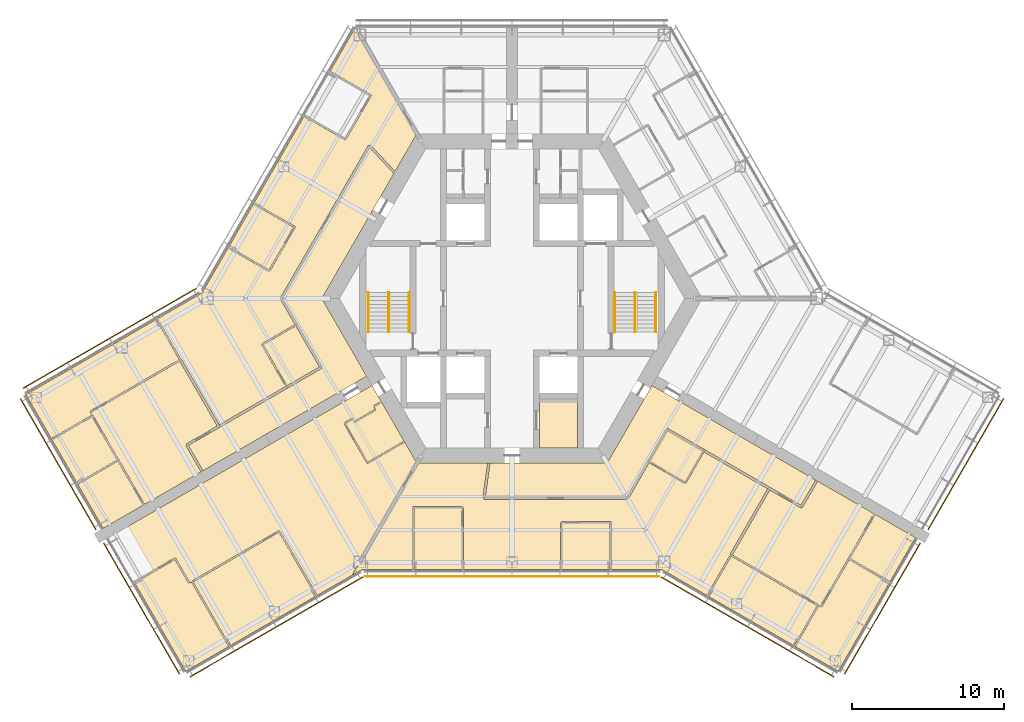
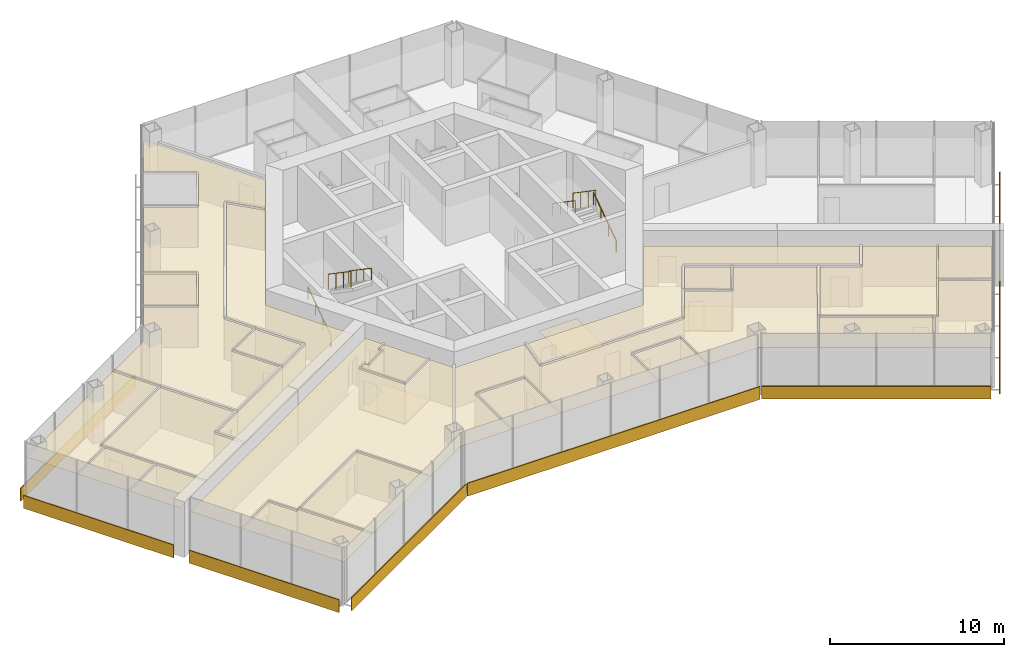
# One storey, part 18 of 19: 24 coverings, 8 shading devices, 6 railings.
"""IFC4 building model written with IfcOpenShell, lengths in metres."""

from ifc_helpers import new_model, si_unit, direction, frame, origin, origin_2d, place, context, subcontext, project, spatial, polyline, rectangle, circle, outline, extrude, material, layer, layer_set, type_object, element, save


model = new_model("IFC4")

# Units and contexts
model_context = context("Model", 3, precision=1e-05, world=origin(), true_north=direction((0.0, 1.0)))
body_context = subcontext(model_context, "Body", "Model", "MODEL_VIEW")
ifc_project = project(units=[si_unit("LENGTHUNIT", "METRE"), si_unit("AREAUNIT", "SQUARE_METRE"), si_unit("VOLUMEUNIT", "CUBIC_METRE"), si_unit("PLANEANGLEUNIT", "RADIAN"), si_unit("MASSUNIT", "GRAM", prefix="KILO")], contexts=[model_context])

# Site, building, storey
site_placement = place(None, origin())
site = spatial("IfcSite", under=ifc_project, at=site_placement, CompositionType="ELEMENT")
building_placement = place(site_placement, origin())
building = spatial("IfcBuilding", under=site, at=building_placement, Name="Kasaneha Research Tower", CompositionType="ELEMENT")
storey_placement = place(building_placement, frame((0.0, 0.0, 156.5)))
storey = spatial("IfcBuildingStorey", under=building, at=storey_placement, Name="L39", CompositionType="ELEMENT", Elevation=156.5)

# Railings
ifc_material_1 = material(Name="Steel", Category="steel")
railing_type_1 = type_object("IfcRailingType", Name="Stair balustrade 1100", PredefinedType="GUARDRAIL", material=ifc_material_1)
for number, where, name in (
    (1, (8.10009765625, 0.39990234375, 2.127197265625), "Stair 1 balustrade L39"),
    (2, (-8.10009765625, 0.39990234375, 2.127197265625), "Stair 2 balustrade L39"),
):
    element("IfcRailing", number, at=place(storey_placement, frame(where)), inside=storey, type_object=railing_type_1, Name=name, PredefinedType="GUARDRAIL", context=body_context, shape_type="SweptSolid", body=[
        extrude(circle(Radius=0.02392578125, at=origin_2d()), frame((0.0, 0.0, 1.076171875), z_axis=(0.0, -0.826215852431, 0.563353676824), x_axis=(1.0, 0.0, 0.0)), (0.0, 0.0, 1.0), 3.146728515625),
        extrude(circle(Radius=0.02099609375, at=origin_2d()), origin(), (0.0, 0.0, 1.0), 1.052001953125),
        extrude(circle(Radius=0.02099609375, at=origin_2d()), frame((0.0, -0.86669921875, 0.5908203125)), (0.0, 0.0, 1.0), 1.052001953125),
        extrude(circle(Radius=0.02099609375, at=origin_2d()), frame((0.0, -1.733154296875, 1.181884765625)), (0.0, 0.0, 1.0), 1.052001953125),
        extrude(circle(Radius=0.02099609375, at=origin_2d()), frame((0.0, -2.599853515625, 1.772705078125)), (0.0, 0.0, 1.0), 1.052001953125),
    ])
ifc_material_2 = material(Name="Steel", Category="steel")
railing_type_2 = type_object("IfcRailingType", Name="Stair handrail 850", PredefinedType="HANDRAIL", material=ifc_material_2)
railing_1_placement = place(storey_placement, frame((9.449951171875, -2.199951171875, 0.17724609375)))
element("IfcRailing", 3, at=railing_1_placement, inside=storey, type_object=railing_type_2, Name="Stair 1 handrail L39", PredefinedType="HANDRAIL", context=body_context, shape_type="SweptSolid", body=[
    extrude(circle(Radius=0.02392578125, at=origin_2d()), frame((0.0, 0.0, 0.826171875), z_axis=(0.0, 0.826215852431, 0.563353676824), x_axis=(-1.0, 0.0, 0.0)), (0.0, 0.0, 1.0), 3.146728515625),
    extrude(circle(Radius=0.02099609375, at=origin_2d()), origin(), (0.0, 0.0, 1.0), 0.802001953125),
    extrude(circle(Radius=0.02099609375, at=origin_2d()), frame((0.0, 0.86669921875, 0.5908203125)), (0.0, 0.0, 1.0), 0.802001953125),
    extrude(circle(Radius=0.02099609375, at=origin_2d()), frame((0.0, 1.733154296875, 1.181884765625)), (0.0, 0.0, 1.0), 0.802001953125),
    extrude(circle(Radius=0.02099609375, at=origin_2d()), frame((0.0, 2.599853515625, 1.772705078125)), (0.0, 0.0, 1.0), 0.802001953125),
])
railing_2_placement = place(storey_placement, frame((6.75, 0.39990234375, 2.127197265625)))
element("IfcRailing", 4, at=railing_2_placement, inside=storey, type_object=railing_type_2, Name="Stair 1 handrail L39", PredefinedType="HANDRAIL", context=body_context, shape_type="SweptSolid", body=[
    extrude(circle(Radius=0.02392578125, at=origin_2d()), frame((0.0, 0.0, 0.826171875), z_axis=(0.0, -0.826215852431, 0.563353676824), x_axis=(1.0, 0.0, 0.0)), (0.0, 0.0, 1.0), 3.146728515625),
    extrude(circle(Radius=0.02099609375, at=origin_2d()), origin(), (0.0, 0.0, 1.0), 0.802001953125),
    extrude(circle(Radius=0.02099609375, at=origin_2d()), frame((0.0, -0.86669921875, 0.5908203125)), (0.0, 0.0, 1.0), 0.802001953125),
    extrude(circle(Radius=0.02099609375, at=origin_2d()), frame((0.0, -1.733154296875, 1.181884765625)), (0.0, 0.0, 1.0), 0.802001953125),
    extrude(circle(Radius=0.02099609375, at=origin_2d()), frame((0.0, -2.599853515625, 1.772705078125)), (0.0, 0.0, 1.0), 0.802001953125),
])
railing_3_placement = place(storey_placement, frame((-9.449951171875, -2.199951171875, 0.17724609375)))
element("IfcRailing", 5, at=railing_3_placement, inside=storey, type_object=railing_type_2, Name="Stair 2 handrail L39", PredefinedType="HANDRAIL", context=body_context, shape_type="SweptSolid", body=[
    extrude(circle(Radius=0.02392578125, at=origin_2d()), frame((0.0, 0.0, 0.826171875), z_axis=(0.0, 0.826215852431, 0.563353676824), x_axis=(-1.0, 0.0, 0.0)), (0.0, 0.0, 1.0), 3.146728515625),
    extrude(circle(Radius=0.02099609375, at=origin_2d()), origin(), (0.0, 0.0, 1.0), 0.802001953125),
    extrude(circle(Radius=0.02099609375, at=origin_2d()), frame((0.0, 0.86669921875, 0.5908203125)), (0.0, 0.0, 1.0), 0.802001953125),
    extrude(circle(Radius=0.02099609375, at=origin_2d()), frame((0.0, 1.733154296875, 1.181884765625)), (0.0, 0.0, 1.0), 0.802001953125),
    extrude(circle(Radius=0.02099609375, at=origin_2d()), frame((0.0, 2.599853515625, 1.772705078125)), (0.0, 0.0, 1.0), 0.802001953125),
])
railing_4_placement = place(storey_placement, frame((-6.75, 0.39990234375, 2.127197265625)))
element("IfcRailing", 6, at=railing_4_placement, inside=storey, type_object=railing_type_2, Name="Stair 2 handrail L39", PredefinedType="HANDRAIL", context=body_context, shape_type="SweptSolid", body=[
    extrude(circle(Radius=0.02392578125, at=origin_2d()), frame((0.0, 0.0, 0.826171875), z_axis=(0.0, -0.826215852431, 0.563353676824), x_axis=(1.0, 0.0, 0.0)), (0.0, 0.0, 1.0), 3.146728515625),
    extrude(circle(Radius=0.02099609375, at=origin_2d()), origin(), (0.0, 0.0, 1.0), 0.802001953125),
    extrude(circle(Radius=0.02099609375, at=origin_2d()), frame((0.0, -0.86669921875, 0.5908203125)), (0.0, 0.0, 1.0), 0.802001953125),
    extrude(circle(Radius=0.02099609375, at=origin_2d()), frame((0.0, -1.733154296875, 1.181884765625)), (0.0, 0.0, 1.0), 0.802001953125),
    extrude(circle(Radius=0.02099609375, at=origin_2d()), frame((0.0, -2.599853515625, 1.772705078125)), (0.0, 0.0, 1.0), 0.802001953125),
])

# Coverings
ifc_material_3 = material(Name="Gypsum ceiling board", Category="gypsum")
ifc_layer_1 = layer(ifc_material_3, 0.02001953125)
ifc_layer_set_1 = layer_set([ifc_layer_1], Name="Suspended ceiling 20")
covering_type_1 = type_object("IfcCoveringType", Name="Suspended ceiling 20", PredefinedType="CEILING", material=ifc_layer_set_1)
covering_1_placement = place(storey_placement, frame((0.0, 0.0, 2.800048828125)))
element("IfcCovering", 7, at=covering_1_placement, inside=storey, type_object=covering_type_1, Name="Ceiling L39-36", PredefinedType="CEILING", context=body_context, shape_type="SweptSolid", body=[
    extrude(outline(polyline([(-9.5498046875, -5.109375), (-10.3291015625, -5.559326171875), (-10.3291015625, -5.559326171875), (-20.37109375, -11.357177734375), (-20.381103515625, -11.33984375), (-20.316162109375, -11.30224609375), (-21.268798828125, -9.652587890625), (-19.234130859375, -8.477783203125), (-19.23388671875, -8.477783203125), (-14.751953125, -5.89013671875), (-14.751953125, -5.89013671875), (-12.504150390625, -4.59228515625), (-12.54150390625, -4.52734375), (-12.4765625, -4.48974609375), (-14.099365234375, -1.67919921875), (-14.099365234375, -1.67919921875), (-15.06884765625, 0.0), (-9.345947265625, 9.912353515625), (-7.7890625, 8.24267578125), (-7.734130859375, 8.2939453125), (-7.719970703125, 8.278564453125), (-12.49951171875, 0.0), (-9.5498046875, -5.109375)])), origin(), (0.0, 0.0, 1.0), 0.02001953125),
])
covering_2_placement = place(storey_placement, frame((0.0, 0.0, 2.800048828125)))
element("IfcCovering", 8, at=covering_2_placement, inside=storey, type_object=covering_type_1, Name="Ceiling L39-37", PredefinedType="CEILING", context=body_context, shape_type="SweptSolid", body=[
    extrude(outline(polyline([(-23.332275390625, -1.36962890625), (-23.37548828125, -1.39453125), (-21.86669921875, -4.01708984375), (-27.730224609375, -7.40869140625), (-27.705322265625, -7.4521484375), (-27.705322265625, -7.4521484375), (-27.564453125, -7.69677734375), (-27.564453125, -7.69677734375), (-27.592041015625, -7.649169921875), (-30.257568359375, -9.193603515625), (-30.232421875, -9.23681640625), (-30.25, -9.2470703125), (-31.94189453125, -6.31689453125), (-29.075439453125, -4.661865234375), (-28.665771484375, -5.370849609375), (-29.074951171875, -4.662109375), (-23.34228515625, -1.352294921875), (-23.332275390625, -1.36962890625)])), origin(), (0.0, 0.0, 1.0), 0.02001953125),
])
covering_3_placement = place(storey_placement, frame((0.0, 0.0, 2.800048828125)))
element("IfcCovering", 9, at=covering_3_placement, inside=storey, type_object=covering_type_1, Name="Ceiling L39-38", PredefinedType="CEILING", context=body_context, shape_type="SweptSolid", body=[
    extrude(outline(polyline([(-30.249755859375, -9.2470703125), (-30.232421875, -9.237060546875), (-30.207275390625, -9.2802734375), (-27.589111328125, -7.76318359375), (-25.94775390625, -10.606689453125), (-28.5830078125, -12.1337890625), (-30.249755859375, -9.2470703125)])), origin(), (0.0, 0.0, 1.0), 0.02001953125),
])
covering_4_placement = place(storey_placement, frame((0.0, 0.0, 2.800048828125)))
element("IfcCovering", 10, at=covering_4_placement, inside=storey, type_object=covering_type_1, Name="Ceiling L39-39", PredefinedType="CEILING", context=body_context, shape_type="SweptSolid", body=[
    extrude(outline(polyline([(-28.532958984375, -12.220458984375), (-25.897705078125, -10.693359375), (-24.23486328125, -13.56494140625), (-24.191650390625, -13.539794921875), (-24.181640625, -13.55712890625), (-26.866455078125, -15.107177734375), (-28.532958984375, -12.220458984375)])), origin(), (0.0, 0.0, 1.0), 0.02001953125),
])
covering_5_placement = place(storey_placement, frame((0.0, 0.0, 2.800048828125)))
element("IfcCovering", 11, at=covering_5_placement, inside=storey, type_object=covering_type_1, Name="Ceiling L39-40", PredefinedType="CEILING", context=body_context, shape_type="SweptSolid", body=[
    extrude(outline(polyline([(-16.99658203125, 6.201904296875), (-14.355224609375, 4.677001953125), (-15.970703125, 1.87890625), (-18.5947265625, 3.393798828125), (-18.619873046875, 3.3505859375), (-18.63720703125, 3.360595703125), (-16.99658203125, 6.201904296875)])), origin(), (0.0, 0.0, 1.0), 0.02001953125),
])
covering_6_placement = place(storey_placement, frame((0.0, 0.0, 2.800048828125)))
element("IfcCovering", 12, at=covering_6_placement, inside=storey, type_object=covering_type_1, Name="Ceiling L39-42", PredefinedType="CEILING", context=body_context, shape_type="SweptSolid", body=[
    extrude(outline(polyline([(-16.349853515625, -3.03125), (-14.204345703125, -1.79736328125), (-12.64404296875, -4.499755859375), (-14.78369140625, -5.735107421875), (-16.349853515625, -3.03125)])), origin(), (0.0, 0.0, 1.0), 0.02001953125),
])
covering_7_placement = place(storey_placement, frame((0.0, 0.0, 2.800048828125)))
element("IfcCovering", 13, at=covering_7_placement, inside=storey, type_object=covering_type_1, Name="Ceiling L39-43", PredefinedType="CEILING", context=body_context, shape_type="SweptSolid", body=[
    extrude(outline(polyline([(-9.360595703125, 10.037841796875), (-9.360595703125, 10.037841796875), (-9.425048828125, 10.0751953125), (-15.220458984375, 0.03759765625), (-15.15576171875, 0.000244140625), (-15.156005859375, 0.000244140625), (-15.15576171875, -0.000244140625), (-15.220458984375, -0.03759765625), (-14.25439453125, -1.710693359375), (-16.443115234375, -2.969482421875), (-16.41845703125, -3.012451171875), (-16.418701171875, -3.0126953125), (-16.418701171875, -3.012939453125), (-16.46142578125, -3.037841796875), (-14.870361328125, -5.78515625), (-19.2353515625, -8.305419921875), (-21.729248046875, -3.995361328125), (-21.75537109375, -4.01025390625), (-23.288818359375, -1.3447265625), (-23.331787109375, -1.369384765625), (-23.341796875, -1.35205078125), (-20.365966796875, 0.365966796875), (-18.637451171875, 3.360107421875), (-18.6201171875, 3.35009765625), (-18.644775390625, 3.30712890625), (-15.9775390625, 1.76708984375), (-15.952392578125, 1.810546875), (-15.9521484375, 1.810302734375), (-15.9521484375, 1.810302734375), (-15.9091796875, 1.785400390625), (-14.24365234375, 4.670166015625), (-14.28662109375, 4.695068359375), (-14.28662109375, 4.6953125), (-14.286865234375, 4.695556640625), (-14.261962890625, 4.738525390625), (-16.94677734375, 6.28857421875), (-13.64111328125, 12.01416015625), (-13.62353515625, 12.004150390625), (-13.6484375, 11.961181640625), (-10.981201171875, 10.421142578125), (-10.9560546875, 10.464599609375), (-10.912841796875, 10.439453125), (-9.247314453125, 13.32421875), (-9.290283203125, 13.34912109375), (-9.2900390625, 13.349365234375), (-9.29052734375, 13.349609375), (-9.265625, 13.392578125), (-11.9501953125, 14.9423828125), (-10.28857421875, 17.820556640625), (-6.249755859375, 10.824951171875), (-7.6806640625, 8.346435546875), (-9.305419921875, 10.0888671875), (-9.360107421875, 10.03759765625), (-9.3603515625, 10.03759765625), (-9.360595703125, 10.037841796875)])), origin(), (0.0, 0.0, 1.0), 0.02001953125),
])
covering_8_placement = place(storey_placement, frame((0.0, 0.0, 2.800048828125)))
element("IfcCovering", 14, at=covering_8_placement, inside=storey, type_object=covering_type_1, Name="Ceiling L39-44", PredefinedType="CEILING", context=body_context, shape_type="SweptSolid", body=[
    extrude(outline(polyline([(-23.14501953125, -12.958740234375), (-24.18115234375, -13.556884765625), (-24.191162109375, -13.53955078125), (-24.1484375, -13.5146484375), (-25.833740234375, -10.604248046875), (-27.525146484375, -7.674072265625), (-27.564208984375, -7.696533203125), (-27.705322265625, -7.4521484375), (-27.705322265625, -7.4521484375), (-27.68017578125, -7.495361328125), (-21.833984375, -4.11376953125), (-19.365234375, -8.38037109375), (-21.40869140625, -9.56005859375), (-21.37109375, -9.625), (-21.43603515625, -9.66259765625), (-20.446044921875, -11.377197265625), (-20.381591796875, -11.340087890625), (-20.37158203125, -11.357421875), (-23.14501953125, -12.958740234375)])), origin(), (0.0, 0.0, 1.0), 0.02001953125),
])
covering_9_placement = place(storey_placement, frame((0.0, 0.0, 2.800048828125)))
element("IfcCovering", 15, at=covering_9_placement, inside=storey, type_object=covering_type_1, Name="Ceiling L39-45", PredefinedType="CEILING", context=body_context, shape_type="SweptSolid", body=[
    extrude(outline(polyline([(-10.35498046875, -8.11474609375), (-10.35498046875, -8.11474609375), (-10.330078125, -8.157958984375), (-8.9443359375, -7.35791015625), (-8.994384765625, -7.271240234375), (-8.994384765625, -7.271240234375), (-9.09423828125, -7.09814453125), (-9.09423828125, -7.09814453125), (-9.0693359375, -7.141357421875), (-8.56689453125, -6.851318359375), (-8.592041015625, -6.80810546875), (-8.57470703125, -6.798095703125), (-7.07470703125, -9.396240234375), (-7.092041015625, -9.40625), (-7.116943359375, -9.36279296875), (-9.481201171875, -10.727783203125), (-10.931396484375, -8.21630859375), (-10.455078125, -7.94140625), (-10.35498046875, -8.11474609375)])), origin(), (0.0, 0.0, 1.0), 0.02001953125),
])
covering_10_placement = place(storey_placement, frame((0.0, 0.0, 2.800048828125)))
element("IfcCovering", 16, at=covering_10_placement, inside=storey, type_object=covering_type_1, Name="Ceiling L39-46", PredefinedType="CEILING", context=body_context, shape_type="SweptSolid", body=[
    extrude(outline(polyline([(-18.574951171875, -22.8486328125), (-18.5849609375, -22.831298828125), (-18.541748046875, -22.806396484375), (-20.949951171875, -18.6240234375), (-15.310546875, -15.363525390625), (-12.885498046875, -19.563720703125), (-18.574951171875, -22.8486328125)])), origin(), (0.0, 0.0, 1.0), 0.02001953125),
])
covering_11_placement = place(storey_placement, frame((0.0, 0.0, 2.800048828125)))
element("IfcCovering", 17, at=covering_11_placement, inside=storey, type_object=covering_type_1, Name="Ceiling L39-47", PredefinedType="CEILING", context=body_context, shape_type="SweptSolid", body=[
    extrude(outline(polyline([(-21.206298828125, -18.708740234375), (-21.025390625, -18.604736328125), (-21.025146484375, -18.60498046875), (-21.0634765625, -18.627197265625), (-18.62841796875, -22.856201171875), (-18.585205078125, -22.831298828125), (-18.574951171875, -22.84912109375), (-21.44140625, -24.50390625), (-23.13330078125, -21.57373046875), (-20.850341796875, -20.255615234375), (-23.133056640625, -21.573486328125), (-24.7998046875, -18.686767578125), (-22.158203125, -17.16162109375), (-21.24951171875, -18.733642578125), (-21.206298828125, -18.70849609375), (-21.206298828125, -18.708740234375)])), origin(), (0.0, 0.0, 1.0), 0.02001953125),
])
covering_12_placement = place(storey_placement, frame((0.0, 0.0, 2.800048828125)))
element("IfcCovering", 18, at=covering_12_placement, inside=storey, type_object=covering_type_1, Name="Ceiling L39-48", PredefinedType="CEILING", context=body_context, shape_type="SweptSolid", body=[
    extrude(outline(polyline([(-9.19970703125, -5.715576171875), (-8.574951171875, -6.797607421875), (-8.59228515625, -6.8076171875), (-8.616943359375, -6.764892578125), (-9.119384765625, -7.0546875), (-9.094482421875, -7.09765625), (-9.0947265625, -7.097900390625), (-8.99462890625, -7.271484375), (-10.379638671875, -8.071044921875), (-10.47998046875, -7.897705078125), (-10.480224609375, -7.897705078125), (-10.5048828125, -7.854736328125), (-11.024658203125, -8.15478515625), (-10.999755859375, -8.19775390625), (-11.0, -8.197998046875), (-11.0, -8.1982421875), (-11.04296875, -8.22314453125), (-9.54296875, -10.8212890625), (-9.5, -10.79638671875), (-9.5, -10.796630859375), (-9.49951171875, -10.79638671875), (-9.474609375, -10.839599609375), (-7.06689453125, -9.449462890625), (-7.091796875, -9.40673828125), (-7.074462890625, -9.396728515625), (-6.249755859375, -10.824951171875), (-10.5, -18.1865234375), (-12.798828125, -19.513916015625), (-15.248779296875, -15.270263671875), (-15.2919921875, -15.295166015625), (-15.292236328125, -15.294677734375), (-15.29248046875, -15.294921875), (-15.317138671875, -15.251953125), (-21.048095703125, -18.5654296875), (-21.025390625, -18.604248046875), (-21.206298828125, -18.708740234375), (-21.206298828125, -18.70849609375), (-21.1630859375, -18.68359375), (-22.0966796875, -17.068359375), (-22.139892578125, -17.09326171875), (-22.139892578125, -17.093017578125), (-22.14013671875, -17.093017578125), (-22.1650390625, -17.050048828125), (-24.849609375, -18.60009765625), (-26.516357421875, -15.71337890625), (-10.84521484375, -6.66552734375), (-10.84521484375, -6.66552734375), (-9.979248046875, -6.16552734375), (-9.979248046875, -6.16552734375), (-9.19970703125, -5.715576171875)])), origin(), (0.0, 0.0, 1.0), 0.02001953125),
])
covering_13_placement = place(storey_placement, frame((0.0, 0.0, 2.800048828125)))
element("IfcCovering", 19, at=covering_13_placement, inside=storey, type_object=covering_type_1, Name="Ceiling L39-51", PredefinedType="CEILING", context=body_context, shape_type="SweptSolid", body=[
    extrude(outline(polyline([(10.191650390625, -8.59765625), (10.126708984375, -8.560302734375), (8.90380859375, -10.677978515625), (8.90380859375, -10.677978515625), (7.534423828125, -13.050048828125), (-1.75830078125, -13.050048828125), (-1.449951171875, -10.85546875), (-1.524169921875, -10.844970703125), (-1.521240234375, -10.824951171875), (6.249755859375, -10.824951171875), (9.19970703125, -5.715576171875), (9.979248046875, -6.16552734375), (9.979248046875, -6.16552734375), (10.84521484375, -6.66552734375), (10.84521484375, -6.66552734375), (20.021240234375, -11.96337890625), (20.01123046875, -11.980712890625), (19.9462890625, -11.943115234375), (18.99365234375, -13.593017578125), (16.950439453125, -12.413330078125), (16.950439453125, -12.413330078125), (12.650146484375, -9.930419921875), (12.650146484375, -9.930419921875), (10.22900390625, -8.53271484375), (10.191650390625, -8.59765625), (10.191650390625, -8.59765625), (10.191650390625, -8.59765625)])), origin(), (0.0, 0.0, 1.0), 0.02001953125),
])
covering_14_placement = place(storey_placement, frame((0.0, 0.0, 2.800048828125)))
element("IfcCovering", 20, at=covering_14_placement, inside=storey, type_object=covering_type_1, Name="Ceiling L39-52", PredefinedType="CEILING", context=body_context, shape_type="SweptSolid", body=[
    extrude(outline(polyline([(10.218994140625, -8.7001953125), (12.531982421875, -10.035400390625), (11.373046875, -12.051025390625), (9.058837890625, -10.7099609375), (10.218994140625, -8.7001953125)])), origin(), (0.0, 0.0, 1.0), 0.02001953125),
])
covering_15_placement = place(storey_placement, frame((0.0, 0.0, 2.800048828125)))
element("IfcCovering", 21, at=covering_15_placement, inside=storey, type_object=covering_type_1, Name="Ceiling L39-53", PredefinedType="CEILING", context=body_context, shape_type="SweptSolid", body=[
    extrude(outline(polyline([(12.885498046875, -19.563720703125), (14.412353515625, -16.9287109375), (20.050048828125, -20.18310546875), (18.541748046875, -22.806396484375), (18.5849609375, -22.831298828125), (18.574951171875, -22.8486328125), (12.885498046875, -19.563720703125)])), origin(), (0.0, 0.0, 1.0), 0.02001953125),
])
covering_16_placement = place(storey_placement, frame((0.0, 0.0, 2.800048828125)))
element("IfcCovering", 22, at=covering_16_placement, inside=storey, type_object=covering_type_1, Name="Ceiling L39-54", PredefinedType="CEILING", context=body_context, shape_type="SweptSolid", body=[
    extrude(outline(polyline([(20.850341796875, -20.255615234375), (23.13330078125, -21.57373046875), (21.441650390625, -24.50390625), (18.574951171875, -22.84912109375), (18.585205078125, -22.831298828125), (18.62841796875, -22.856201171875), (20.16357421875, -20.18603515625), (20.125, -20.1640625), (20.125244140625, -20.16357421875), (20.3017578125, -20.264892578125), (20.349609375, -20.29248046875), (22.159423828125, -17.16796875), (24.7998046875, -18.686767578125), (23.133056640625, -21.573486328125), (20.850341796875, -20.255615234375)])), origin(), (0.0, 0.0, 1.0), 0.02001953125),
])
covering_17_placement = place(storey_placement, frame((0.0, 0.0, 2.800048828125)))
element("IfcCovering", 23, at=covering_17_placement, inside=storey, type_object=covering_type_1, Name="Ceiling L39-55", PredefinedType="CEILING", context=body_context, shape_type="SweptSolid", body=[
    extrude(outline(polyline([(24.849609375, -18.60009765625), (22.20947265625, -17.08154296875), (23.864990234375, -14.20556640625), (23.82177734375, -14.1806640625), (23.83154296875, -14.163330078125), (26.516357421875, -15.71337890625), (24.849609375, -18.60009765625)])), origin(), (0.0, 0.0, 1.0), 0.02001953125),
])
covering_18_placement = place(storey_placement, frame((0.0, 0.0, 2.800048828125)))
element("IfcCovering", 24, at=covering_18_placement, inside=storey, type_object=covering_type_1, Name="Ceiling L39-56", PredefinedType="CEILING", context=body_context, shape_type="SweptSolid", body=[
    extrude(outline(polyline([(-6.492919921875, -17.820556640625), (-6.492919921875, -17.800537109375), (-6.44287109375, -17.800537109375), (-6.44287109375, -13.7705078125), (-3.29638671875, -13.7705078125), (-3.29638671875, -17.800537109375), (-3.246337890625, -17.800537109375), (-3.246337890625, -17.820556640625), (-6.492919921875, -17.820556640625)])), origin(), (0.0, 0.0, 1.0), 0.02001953125),
])
covering_19_placement = place(storey_placement, frame((0.0, 0.0, 2.800048828125)))
element("IfcCovering", 25, at=covering_19_placement, inside=storey, type_object=covering_type_1, Name="Ceiling L39-57", PredefinedType="CEILING", context=body_context, shape_type="SweptSolid", body=[
    extrude(outline(polyline([(3.246337890625, -17.820556640625), (3.246337890625, -17.800537109375), (3.29638671875, -17.800537109375), (3.29638671875, -14.7705078125), (6.44287109375, -14.7705078125), (6.44287109375, -17.800537109375), (6.492919921875, -17.800537109375), (6.492919921875, -17.820556640625), (3.246337890625, -17.820556640625)])), origin(), (0.0, 0.0, 1.0), 0.02001953125),
])
covering_20_placement = place(storey_placement, frame((0.0, 0.0, 2.800048828125)))
element("IfcCovering", 26, at=covering_20_placement, inside=storey, type_object=covering_type_1, Name="Ceiling L39-58", PredefinedType="CEILING", context=body_context, shape_type="SweptSolid", body=[
    extrude(outline(polyline([(6.492919921875, -14.719970703125), (6.492919921875, -14.67041015625), (3.246337890625, -14.67041015625), (3.246337890625, -14.72021484375), (3.24609375, -14.72021484375), (3.24609375, -14.720458984375), (3.1962890625, -14.720458984375), (3.1962890625, -17.800537109375), (3.245849609375, -17.800537109375), (3.245849609375, -17.820556640625), (-3.245849609375, -17.820556640625), (-3.245849609375, -17.800537109375), (-3.1962890625, -17.800537109375), (-3.1962890625, -13.720458984375), (-3.24609375, -13.720458984375), (-3.24609375, -13.72021484375), (-3.246337890625, -13.72021484375), (-3.246337890625, -13.67041015625), (-6.492919921875, -13.67041015625), (-6.492919921875, -13.719970703125), (-6.492919921875, -13.719970703125), (-6.492919921875, -13.720458984375), (-6.542724609375, -13.720458984375), (-6.542724609375, -17.800537109375), (-6.493408203125, -17.800537109375), (-6.493408203125, -17.820556640625), (-9.865966796875, -17.820556640625), (-10.5, -18.1865234375), (-6.249755859375, -10.824951171875), (-1.52197265625, -10.824951171875), (-1.524658203125, -10.844970703125), (-1.598388671875, -10.83447265625), (-1.9189453125, -13.114501953125), (-1.8447265625, -13.125), (-1.8447265625, -13.12548828125), (-1.844482421875, -13.12548828125), (-1.844482421875, -13.199951171875), (7.57763671875, -13.199951171875), (7.57763671875, -13.12548828125), (7.577880859375, -13.12548828125), (7.577880859375, -13.125244140625), (7.642578125, -13.16259765625), (9.0087890625, -10.79638671875), (11.366455078125, -12.16259765625), (11.391357421875, -12.119873046875), (11.3916015625, -12.119873046875), (11.391845703125, -12.11962890625), (11.434814453125, -12.144287109375), (12.618408203125, -10.08544921875), (16.810546875, -12.505615234375), (14.32470703125, -16.820556640625), (14.350830078125, -16.83544921875), (12.798828125, -19.513916015625), (9.865966796875, -17.820556640625), (6.493408203125, -17.820556640625), (6.493408203125, -17.800537109375), (6.542724609375, -17.800537109375), (6.542724609375, -14.720458984375), (6.492919921875, -14.720458984375), (6.492919921875, -14.719970703125), (6.492919921875, -14.719970703125)])), origin(), (0.0, 0.0, 1.0), 0.02001953125),
])
covering_21_placement = place(storey_placement, frame((0.0, 0.0, 2.800048828125)))
element("IfcCovering", 27, at=covering_21_placement, inside=storey, type_object=covering_type_1, Name="Ceiling L39-59", PredefinedType="CEILING", context=body_context, shape_type="SweptSolid", body=[
    extrude(outline(polyline([(23.831298828125, -14.1630859375), (23.8212890625, -14.180419921875), (23.7783203125, -14.15576171875), (22.100341796875, -17.070556640625), (20.262939453125, -20.242431640625), (20.295166015625, -20.260986328125), (20.12548828125, -20.1630859375), (20.14794921875, -20.1240234375), (14.479736328125, -16.85205078125), (16.9404296875, -12.58056640625), (18.983642578125, -13.76025390625), (19.021240234375, -13.6953125), (19.086181640625, -13.73291015625), (20.076171875, -12.018310546875), (20.011474609375, -11.98095703125), (20.021484375, -11.963623046875), (23.831298828125, -14.1630859375)])), origin(), (0.0, 0.0, 1.0), 0.02001953125),
])

# Shading devices
ifc_material_4 = material(Name="Terracotta", Category="masonry")
ifc_layer_2 = layer(ifc_material_4, 0.06005859375)
ifc_layer_set_2 = layer_set([ifc_layer_2], Name="Terracotta baguette screen")
shading_device_type = type_object("IfcShadingDeviceType", Name="Terracotta baguette screen", PredefinedType="USERDEFINED", material=ifc_layer_set_2)
shading_device_1_placement = place(storey_placement, frame((0.0, -18.2705078125, -0.449951171875), z_axis=(0.0, 0.0, 1.0), x_axis=(1.0, 0.0, 0.0)))
element("IfcShadingDevice", 28, at=shading_device_1_placement, inside=storey, type_object=shading_device_type, Name="Baguette screen L39 01", ObjectType="TERRACOTTA BAGUETTE SCREEN", PredefinedType="USERDEFINED", context=body_context, shape_type="SweptSolid", body=[
    extrude(rectangle(XDim=19.37841796875, YDim=0.06005859375, at=origin_2d()), origin(), (0.0, 0.0, 1.0), 0.89990234375),
])
shading_device_2_placement = place(storey_placement, frame((15.483642578125, -21.58349609375, -0.449951171875), z_axis=(0.0, 0.0, 1.0), x_axis=(0.866025411464, -0.499999986699, 0.0)))
element("IfcShadingDevice", 29, at=shading_device_2_placement, inside=storey, type_object=shading_device_type, Name="Baguette screen L39 02", ObjectType="TERRACOTTA BAGUETTE SCREEN", PredefinedType="USERDEFINED", context=body_context, shape_type="SweptSolid", body=[
    extrude(rectangle(XDim=13.13916015625, YDim=0.06005859375, at=origin_2d()), origin(), (0.0, 0.0, 1.0), 0.89990234375),
])
for number, where, z_axis, x_axis, name in (
    (30, (24.343505859375, -20.376708984375, -0.449951171875), (0.0, 0.0, 1.0), (0.500000011442, 0.866025397178, 0.0), "Baguette screen L39 03"),
    (31, (29.818603515625, -10.893798828125, -0.449951171875), (0.0, 0.0, 1.0), (0.500000011442, 0.866025397178, 0.0), "Baguette screen L39 04"),
):
    element("IfcShadingDevice", number, at=place(storey_placement, frame(where, z_axis=z_axis, x_axis=x_axis)), inside=storey, type_object=shading_device_type, Name=name, ObjectType="TERRACOTTA BAGUETTE SCREEN", PredefinedType="USERDEFINED", context=body_context, shape_type="SweptSolid", body=[
        extrude(rectangle(XDim=9.949951171875, YDim=0.06005859375, at=origin_2d()), origin(), (0.0, 0.0, 1.0), 0.89990234375),
    ])
shading_device_3_placement = place(storey_placement, frame((-26.43359375, -2.617431640625, -0.449951171875), z_axis=(0.0, 0.0, 1.0), x_axis=(-0.866025411464, -0.499999986699, 0.0)))
element("IfcShadingDevice", 32, at=shading_device_3_placement, inside=storey, type_object=shading_device_type, Name="Baguette screen L39 09", ObjectType="TERRACOTTA BAGUETTE SCREEN", PredefinedType="USERDEFINED", context=body_context, shape_type="SweptSolid", body=[
    extrude(rectangle(XDim=13.13916015625, YDim=0.06005859375, at=origin_2d()), origin(), (0.0, 0.0, 1.0), 0.89990234375),
])
for number, where, z_axis, x_axis, name in (
    (33, (-29.818603515625, -10.893798828125, -0.449951171875), (0.0, 0.0, 1.0), (0.500000011442, -0.866025397178, 0.0), "Baguette screen L39 10"),
    (34, (-24.343505859375, -20.376708984375, -0.449951171875), (0.0, 0.0, 1.0), (0.500000011442, -0.866025397178, 0.0), "Baguette screen L39 11"),
):
    element("IfcShadingDevice", number, at=place(storey_placement, frame(where, z_axis=z_axis, x_axis=x_axis)), inside=storey, type_object=shading_device_type, Name=name, ObjectType="TERRACOTTA BAGUETTE SCREEN", PredefinedType="USERDEFINED", context=body_context, shape_type="SweptSolid", body=[
        extrude(rectangle(XDim=9.949951171875, YDim=0.06005859375, at=origin_2d()), origin(), (0.0, 0.0, 1.0), 0.89990234375),
    ])
shading_device_4_placement = place(storey_placement, frame((-15.483642578125, -21.58349609375, -0.449951171875), z_axis=(0.0, 0.0, 1.0), x_axis=(0.866025411464, 0.499999986699, 0.0)))
element("IfcShadingDevice", 35, at=shading_device_4_placement, inside=storey, type_object=shading_device_type, Name="Baguette screen L39 12", ObjectType="TERRACOTTA BAGUETTE SCREEN", PredefinedType="USERDEFINED", context=body_context, shape_type="SweptSolid", body=[
    extrude(rectangle(XDim=13.13916015625, YDim=0.06005859375, at=origin_2d()), origin(), (0.0, 0.0, 1.0), 0.89990234375),
])

# Coverings
ifc_material_5 = material(Name="Vinyl sheet flooring", Category="plastic")
ifc_layer_3 = layer(ifc_material_5, 0.0048828125)
ifc_layer_set_3 = layer_set([ifc_layer_3], Name="Wet room sheet flooring 5")
covering_type_2 = type_object("IfcCoveringType", Name="Wet room sheet flooring 5", PredefinedType="FLOORING", material=ifc_layer_set_3)
covering_22_placement = place(storey_placement, origin())
element("IfcCovering", 36, at=covering_22_placement, inside=storey, type_object=covering_type_2, Name="Floor finish L39-13", PredefinedType="FLOORING", context=body_context, shape_type="SweptSolid", body=[
    extrude(outline(polyline([(1.800048828125, -9.824951171875), (1.800048828125, -6.60009765625), (4.300048828125, -6.60009765625), (4.300048828125, -9.824951171875), (1.800048828125, -9.824951171875)])), origin(), (0.0, 0.0, 1.0), 0.0048828125),
])
covering_23_placement = place(storey_placement, origin())
element("IfcCovering", 37, at=covering_23_placement, inside=storey, type_object=covering_type_2, Name="Floor finish L39-45", PredefinedType="FLOORING", context=body_context, shape_type="SweptSolid", body=[
    extrude(outline(polyline([(-10.99951171875, -8.1982421875), (-10.47998046875, -7.898193359375), (-10.35498046875, -8.11474609375), (-8.96923828125, -7.314697265625), (-9.09423828125, -7.09814453125), (-8.57470703125, -6.798095703125), (-7.07470703125, -9.396240234375), (-9.49951171875, -10.796142578125), (-10.99951171875, -8.1982421875)])), origin(), (0.0, 0.0, 1.0), 0.0048828125),
])
covering_24_placement = place(storey_placement, origin())
element("IfcCovering", 38, at=covering_24_placement, inside=storey, type_object=covering_type_2, Name="Floor finish L39-52", PredefinedType="FLOORING", context=body_context, shape_type="SweptSolid", body=[
    extrude(outline(polyline([(11.391357421875, -12.119384765625), (8.966552734375, -10.719482421875), (10.191650390625, -8.59765625), (12.616455078125, -9.99755859375), (11.391357421875, -12.119384765625)])), origin(), (0.0, 0.0, 1.0), 0.0048828125),
])

save(model, "model.ifc")
